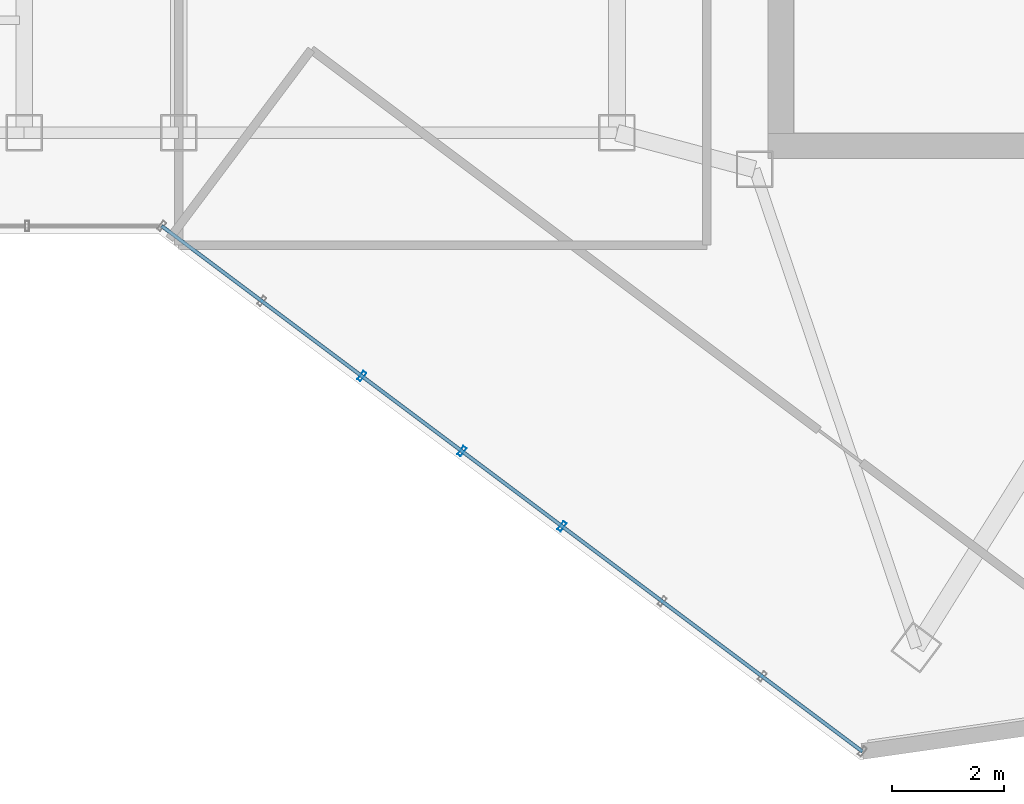
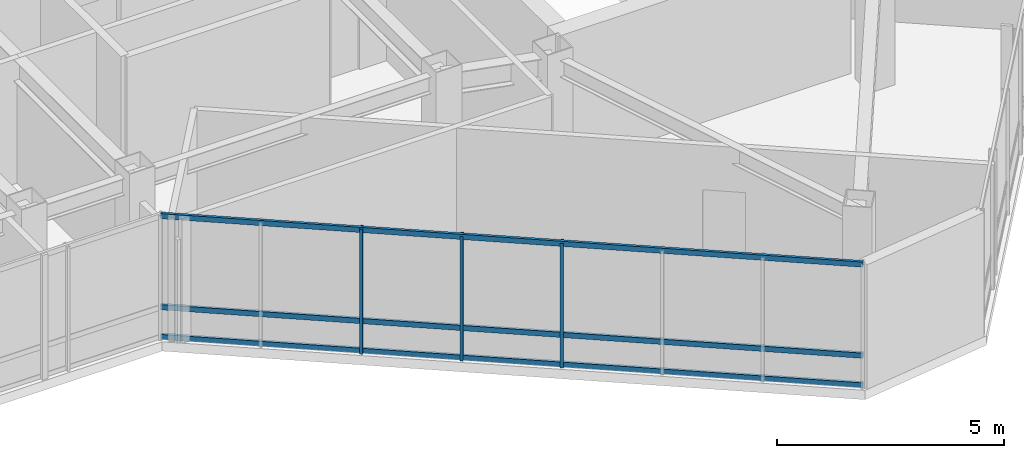
# One storey, part 2 of 18: 6 members, 1 element without a shape of its own.
"""IFC4 building model written with IfcOpenShell, lengths in metres."""

from ifc_helpers import new_model, si_unit, direction, frame, origin, origin_2d, place, context, subcontext, project, spatial, hollow_rectangle, extrude, material, layer, layer_set, material_profile, profile_set, type_object, element, aggregate, save


model = new_model("IFC4")

# Units and contexts
model_context = context("Model", 3, precision=1e-05, world=origin(), true_north=direction((0.0, 1.0)))
body_context = subcontext(model_context, "Body", "Model", "MODEL_VIEW")
ifc_project = project(units=[si_unit("LENGTHUNIT", "METRE"), si_unit("AREAUNIT", "SQUARE_METRE"), si_unit("VOLUMEUNIT", "CUBIC_METRE"), si_unit("PLANEANGLEUNIT", "RADIAN"), si_unit("MASSUNIT", "GRAM", prefix="KILO")], contexts=[model_context])

# Site, building, storey
site_placement = place(None, origin())
site = spatial("IfcSite", under=ifc_project, at=site_placement, CompositionType="ELEMENT")
building_placement = place(site_placement, origin())
building = spatial("IfcBuilding", under=site, at=building_placement, Name="Hatsunagi Terrace Concourse", CompositionType="ELEMENT")
storey_placement = place(building_placement, frame((0.0, 0.0, 250.35009765625)))
storey = spatial("IfcBuildingStorey", under=building, at=storey_placement, Name="L66", CompositionType="ELEMENT", Elevation=250.35009765625)

# Curtain wall, members
ifc_material_1 = material(Name="Anodised Aluminium Alloy 6063-T5", Category="aluminium")
ifc_layer = layer(ifc_material_1, 0.199951171875)
ifc_layer_set = layer_set([ifc_layer], Name="OfficeZone2_CW04")
curtain_wall_type = type_object("IfcCurtainWallType", Name="OfficeZone2_CW04", PredefinedType="NOTDEFINED", material=ifc_layer_set)
curtain_wall_placement = place(storey_placement, origin())
curtain_wall = element("IfcCurtainWall", 1, at=curtain_wall_placement, inside=storey, type_object=curtain_wall_type, Name="Unitised Curtain Wall CW-04 CW-L66-05", PredefinedType="NOTDEFINED")
ifc_material_2 = material(Name="Anodised Aluminium Alloy 6063-T5", Category="aluminium")
ifc_material_profile_1 = material_profile(ifc_material_2, hollow_rectangle(XDim=0.070068359375, YDim=0.179931640625, WallThickness=0.00390625, at=origin_2d()), Name="ALU-MUL-180x70x4")
ifc_profile_set_1 = profile_set([ifc_material_profile_1], Name="Anodised Aluminium Alloy 6063-T5")
member_type_1 = type_object("IfcMemberType", Name="CurtainWallMullion_180x70", PredefinedType="MULLION", material=ifc_profile_set_1)
member_1_placement = place(storey_placement, frame((32.373046875, 18.195068359375, 0.0), z_axis=(0.0, 0.0, 1.0), x_axis=(-0.800007305671, 0.599990258982, 0.0)))
member_1 = element("IfcMember", 2, at=member_1_placement, type_object=member_type_1, Name="Curtain Wall Mullion MUL-02", PredefinedType="MULLION", context=body_context, shape_type="SweptSolid", body=[
    extrude(hollow_rectangle(XDim=0.070068359375, YDim=0.179931640625, WallThickness=0.00390625, at=origin_2d()), origin(), (0.0, 0.0, 1.0), 3.349853515625),
])
member_2_placement = place(storey_placement, frame((30.592041015625, 19.531982421875, 0.0), z_axis=(0.0, 0.0, 1.0), x_axis=(-0.800007305671, 0.599990258982, 0.0)))
member_2 = element("IfcMember", 3, at=member_2_placement, type_object=member_type_1, Name="Curtain Wall Mullion MUL-02", PredefinedType="MULLION", context=body_context, shape_type="SweptSolid", body=[
    extrude(hollow_rectangle(XDim=0.070068359375, YDim=0.179931640625, WallThickness=0.00390625, at=origin_2d()), origin(), (0.0, 0.0, 1.0), 3.349853515625),
])
member_3_placement = place(storey_placement, frame((28.81005859375, 20.867919921875, 0.0), z_axis=(0.0, 0.0, 1.0), x_axis=(-0.800007305671, 0.599990258982, 0.0)))
member_3 = element("IfcMember", 4, at=member_3_placement, type_object=member_type_1, Name="Curtain Wall Mullion MUL-02", PredefinedType="MULLION", context=body_context, shape_type="SweptSolid", body=[
    extrude(hollow_rectangle(XDim=0.070068359375, YDim=0.179931640625, WallThickness=0.00390625, at=origin_2d()), origin(), (0.0, 0.0, 1.0), 3.349853515625),
])
ifc_material_3 = material(Name="Anodised Aluminium Alloy 6063-T5", Category="aluminium")
ifc_material_profile_2 = material_profile(ifc_material_3, hollow_rectangle(XDim=0.06494140625, YDim=0.139892578125, WallThickness=0.00390625, at=origin_2d()), Name="ALU-TRN-140x65x4")
ifc_profile_set_2 = profile_set([ifc_material_profile_2], Name="Anodised Aluminium Alloy 6063-T5")
member_type_2 = type_object("IfcMemberType", Name="CurtainWallTransom_140x65", PredefinedType="USERDEFINED", material=ifc_profile_set_2)
member_4_placement = place(storey_placement, frame((37.718017578125, 14.18701171875, 0.0498046875), z_axis=(-0.800005638109, 0.599992482448, 0.0), x_axis=(-0.599992482448, -0.800005638109, 0.0)))
member_4 = element("IfcMember", 5, at=member_4_placement, type_object=member_type_2, Name="Curtain Wall Transom TRN-02", ObjectType="TRANSOM", PredefinedType="USERDEFINED", context=body_context, shape_type="SweptSolid", body=[
    extrude(hollow_rectangle(XDim=0.06494140625, YDim=0.139892578125, WallThickness=0.00390625, at=origin_2d()), origin(), (0.0, 0.0, 1.0), 15.588623046875),
])
member_5_placement = place(storey_placement, frame((37.718017578125, 14.18701171875, 0.849853515625), z_axis=(-0.800005638109, 0.599992482448, 0.0), x_axis=(-0.599992482448, -0.800005638109, 0.0)))
member_5 = element("IfcMember", 6, at=member_5_placement, type_object=member_type_2, Name="Curtain Wall Transom TRN-02", ObjectType="TRANSOM", PredefinedType="USERDEFINED", context=body_context, shape_type="SweptSolid", body=[
    extrude(hollow_rectangle(XDim=0.06494140625, YDim=0.139892578125, WallThickness=0.00390625, at=origin_2d()), origin(), (0.0, 0.0, 1.0), 15.588623046875),
])
member_6_placement = place(storey_placement, frame((37.718017578125, 14.18701171875, 3.2998046875), z_axis=(-0.800005638109, 0.599992482448, 0.0), x_axis=(-0.599992482448, -0.800005638109, 0.0)))
member_6 = element("IfcMember", 7, at=member_6_placement, type_object=member_type_2, Name="Curtain Wall Transom TRN-02", ObjectType="TRANSOM", PredefinedType="USERDEFINED", context=body_context, shape_type="SweptSolid", body=[
    extrude(hollow_rectangle(XDim=0.06494140625, YDim=0.139892578125, WallThickness=0.00390625, at=origin_2d()), origin(), (0.0, 0.0, 1.0), 15.588623046875),
])
aggregate(curtain_wall, [member_1, member_2, member_3, member_4, member_5, member_6])

save(model, "model.ifc")
